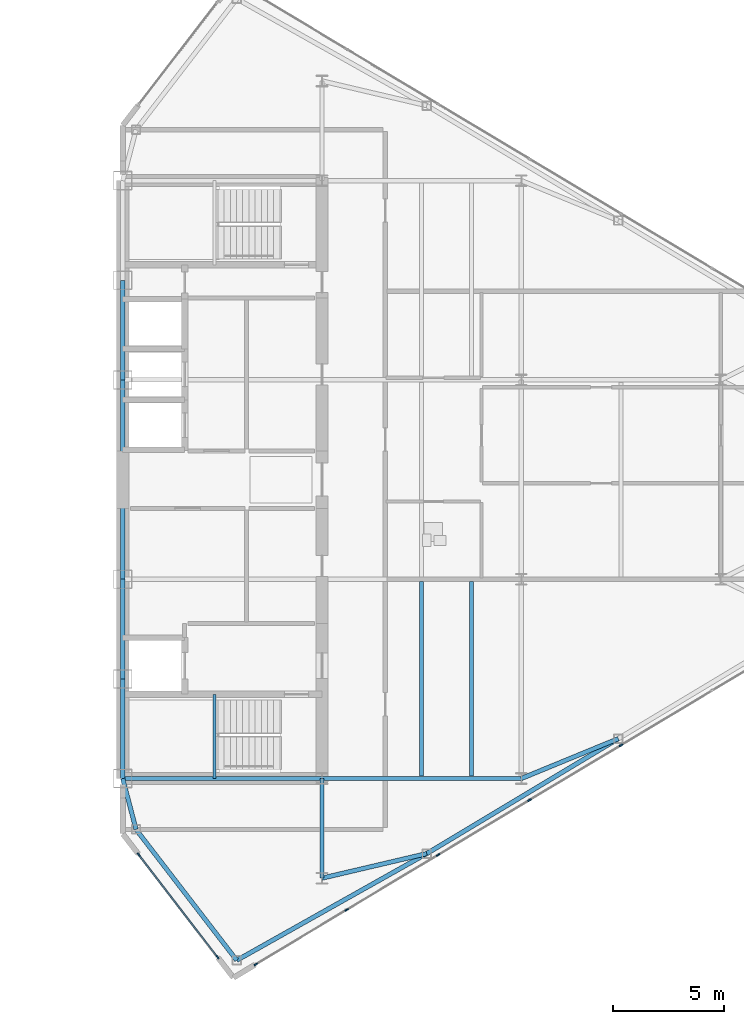
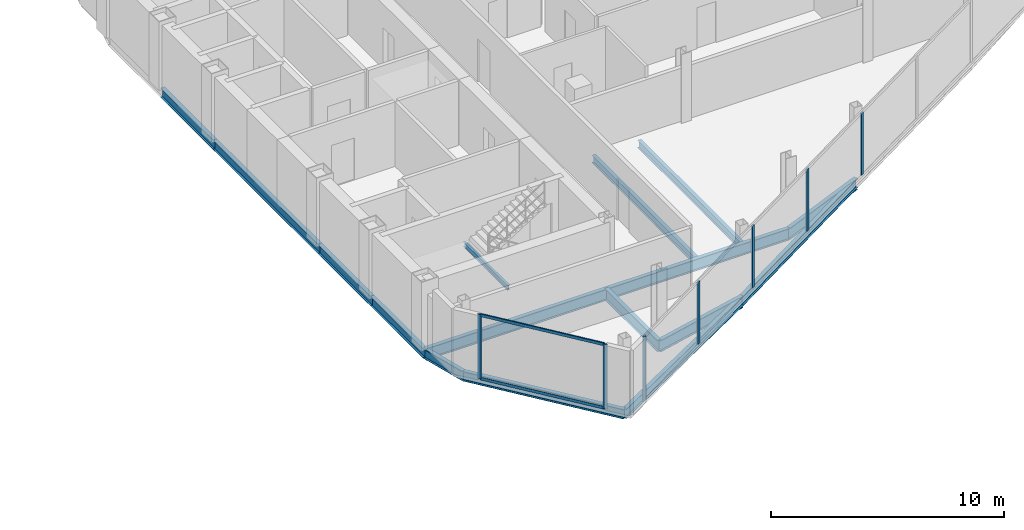
# One storey, part 11 of 25: 16 beams, 9 members, 2 elements without a shape of their own.
"""IFC4 building model written with IfcOpenShell, lengths in metres."""

from ifc_helpers import new_model, si_unit, direction, frame, origin, origin_2d, place, context, subcontext, project, spatial, rectangle, i_section, extrude, source, transform, mapped, material, layer, layer_set, material_profile, profile_set, type_object, type_shapes, element, aggregate, save


model = new_model("IFC4")

# Units and contexts
model_context = context("Model", 3, precision=1e-05, world=origin(), true_north=direction((0.0, 1.0)))
body_context = subcontext(model_context, "Body", "Model", "MODEL_VIEW")
ifc_project = project(units=[si_unit("LENGTHUNIT", "METRE"), si_unit("AREAUNIT", "SQUARE_METRE"), si_unit("VOLUMEUNIT", "CUBIC_METRE"), si_unit("PLANEANGLEUNIT", "RADIAN"), si_unit("MASSUNIT", "GRAM", prefix="KILO")], contexts=[model_context])

# Site, building, storey
site_placement = place(None, origin())
site = spatial("IfcSite", under=ifc_project, at=site_placement, CompositionType="ELEMENT")
building_placement = place(site_placement, origin())
building = spatial("IfcBuilding", under=site, at=building_placement, Name="Seokmaru Belvedere", CompositionType="ELEMENT")
storey_placement = place(building_placement, frame((0.0, 0.0, 203.10009765625)))
storey = spatial("IfcBuildingStorey", under=building, at=storey_placement, Name="L54", CompositionType="ELEMENT", Elevation=203.10009765625)

# Beams
ifc_material_1 = material(Name="Steel SM355 (355 MPa)", Category="steel")
ifc_material_profile_1 = material_profile(ifc_material_1, i_section(OverallWidth=0.199951171875, OverallDepth=0.5, WebThickness=0.010009765625, FlangeThickness=0.01611328125, at=origin_2d()), Name="H-500x200x10x16")
ifc_profile_set_1 = profile_set([ifc_material_profile_1], Name="Steel SM355 (355 MPa)")
beam_type_1 = type_object("IfcBeamType", Name="Perimeter Spandrel Beam H-500", PredefinedType="SPANDREL", material=ifc_profile_set_1)
shared_shape_1 = source(origin(), body_context, "Body", "SweptSolid", [
    extrude(i_section(OverallWidth=0.199951171875, OverallDepth=0.5, WebThickness=0.010009765625, FlangeThickness=0.01611328125, at=origin_2d()), origin(), (0.0, 0.0, 1.0), 4.5),
])
for number, where, z_axis, x_axis, name in (
    (1, (27.5, -13.5, -0.47021484375), (0.0, 1.0, 0.0), (-1.0, 0.0, 0.0), "L54 E Portal Spine Spandrel 1"),
    (2, (27.5, -9.0, -0.47021484375), (0.0, 1.0, 0.0), (-1.0, 0.0, 0.0), "L54 E Portal Spine Spandrel 2"),
    (3, (27.5, 4.5, -0.47021484375), (0.0, 1.0, 0.0), (-1.0, 0.0, 0.0), "L54 E Portal Spine Spandrel 4"),
):
    element("IfcBeam", number, at=place(storey_placement, frame(where, z_axis=z_axis, x_axis=x_axis)), inside=storey, type_object=beam_type_1, Name=name, PredefinedType="SPANDREL", context=body_context, shape_type="MappedRepresentation", body=[
        mapped(shared_shape_1, transform((0.0, 0.0, 0.0), scale=1.0)),
    ])
shared_shape_2 = source(origin(), body_context, "Body", "SweptSolid", [
    extrude(i_section(OverallWidth=0.199951171875, OverallDepth=0.5, WebThickness=0.010009765625, FlangeThickness=0.01611328125, at=origin_2d()), origin(), (0.0, 0.0, 1.0), 9.0),
])
beam_1_placement = place(storey_placement, frame((27.5, -4.5, -0.47021484375), z_axis=(0.0, 1.0, 0.0), x_axis=(-1.0, 0.0, 0.0)))
element("IfcBeam", 4, at=beam_1_placement, inside=storey, type_object=beam_type_1, Name="L54 E Portal Spine Spandrel 3", PredefinedType="SPANDREL", context=body_context, shape_type="MappedRepresentation", body=[
    mapped(shared_shape_2, transform((0.0, 0.0, 0.0), scale=1.0)),
])
ifc_material_profile_2 = material_profile(ifc_material_1, i_section(OverallWidth=0.199951171875, OverallDepth=0.60009765625, WebThickness=0.010986328125, FlangeThickness=0.01708984375, at=origin_2d()), Name="H-600x200x11x17")
ifc_profile_set_2 = profile_set([ifc_material_profile_2], Name="Steel SM355 (355 MPa)")
beam_type_2 = type_object("IfcBeamType", Name="Primary Floor Girder H-600", PredefinedType="BEAM", material=ifc_profile_set_2)
shared_shape_3 = source(origin(), body_context, "Body", "SweptSolid", [
    extrude(i_section(OverallWidth=0.199951171875, OverallDepth=0.60009765625, WebThickness=0.010986328125, FlangeThickness=0.01708984375, at=origin_2d()), origin(), (0.0, 0.0, 1.0), 9.0),
])
for number, where, z_axis, x_axis, name in (
    (5, (27.5, -13.5, -0.52001953125), (1.0, 0.0, 0.0), (0.0, 1.0, 0.0), "L54 E Core Tie Girder 1"),
    (6, (36.5, -13.5, -0.52001953125), (1.0, 0.0, 0.0), (0.0, 1.0, 0.0), "L54 E Wing Primary Girder 1"),
):
    element("IfcBeam", number, at=place(storey_placement, frame(where, z_axis=z_axis, x_axis=x_axis)), inside=storey, type_object=beam_type_2, Name=name, PredefinedType="BEAM", context=body_context, shape_type="MappedRepresentation", body=[
        mapped(shared_shape_3, transform((0.0, 0.0, 0.0), scale=1.0)),
    ])
ifc_material_profile_3 = material_profile(ifc_material_1, i_section(OverallWidth=0.18505859375, OverallDepth=0.389892578125, WebThickness=0.008056640625, FlangeThickness=0.011962890625, at=origin_2d()), Name="H-390x185x8x12")
ifc_profile_set_3 = profile_set([ifc_material_profile_3], Name="Steel SM355 (355 MPa)")
beam_type_3 = type_object("IfcBeamType", Name="Secondary Floor Joist H-350", PredefinedType="JOIST", material=ifc_profile_set_3)
shared_shape_4 = source(origin(), body_context, "Body", "SweptSolid", [
    extrude(i_section(OverallWidth=0.18505859375, OverallDepth=0.389892578125, WebThickness=0.008056640625, FlangeThickness=0.011962890625, at=origin_2d()), origin(), (0.0, 0.0, 1.0), 8.7900390625),
])
type_shapes(beam_type_3, [shared_shape_4])
for number, where, z_axis, x_axis, name in (
    (7, (43.25, -13.39501953125, -0.4150390625), (0.0, 1.0, 0.0), (-1.0, 0.0, 0.0), "L54 E Wing Inner Secondary Joist 1"),
    (8, (41.0, -13.39501953125, -0.4150390625), (0.0, 1.0, 0.0), (-1.0, 0.0, 0.0), "L54 E Secondary Floor Joist 1"),
):
    element("IfcBeam", number, at=place(storey_placement, frame(where, z_axis=z_axis, x_axis=x_axis)), inside=storey, type_object=beam_type_3, Name=name, PredefinedType="JOIST", context=body_context, shape_type="MappedRepresentation", body=[
        mapped(shared_shape_4, transform((0.0, 0.0, 0.0), scale=1.0)),
    ])
shared_shape_5 = source(origin(), body_context, "Body", "SweptSolid", [
    extrude(i_section(OverallWidth=0.199951171875, OverallDepth=0.60009765625, WebThickness=0.010986328125, FlangeThickness=0.01708984375, at=origin_2d()), origin(), (0.0, 0.0, 1.0), 4.5),
])
beam_2_placement = place(storey_placement, frame((36.5, -18.0, -0.52001953125), z_axis=(0.0, 1.0, 0.0), x_axis=(-1.0, 0.0, 0.0)))
element("IfcBeam", 9, at=beam_2_placement, inside=storey, type_object=beam_type_2, Name="L54 E Core Shoulder Girder S", PredefinedType="BEAM", context=body_context, shape_type="MappedRepresentation", body=[
    mapped(shared_shape_5, transform((0.0, 0.0, 0.0), scale=1.0)),
])
shared_shape_6 = source(origin(), body_context, "Body", "SweptSolid", [
    extrude(i_section(OverallWidth=0.199951171875, OverallDepth=0.5, WebThickness=0.010009765625, FlangeThickness=0.01611328125, at=origin_2d()), origin(), (0.0, 0.0, 1.0), 9.842041015625),
])
beam_3_placement = place(storey_placement, frame((32.649658203125, -21.71044921875, -0.47021484375), z_axis=(0.871782151818, 0.489893743349, 0.0), x_axis=(-0.489893743349, 0.871782151818, 0.0)))
element("IfcBeam", 10, at=beam_3_placement, inside=storey, type_object=beam_type_1, Name="L54 E Faceted Flank Spandrel S-1", PredefinedType="SPANDREL", context=body_context, shape_type="MappedRepresentation", body=[
    mapped(shared_shape_6, transform((0.0, 0.0, 0.0), scale=1.0)),
])
shared_shape_7 = source(origin(), body_context, "Body", "SweptSolid", [
    extrude(i_section(OverallWidth=0.199951171875, OverallDepth=0.5, WebThickness=0.010009765625, FlangeThickness=0.01611328125, at=origin_2d()), origin(), (0.0, 0.0, 1.0), 10.087646484375),
])
beam_4_placement = place(storey_placement, frame((41.229736328125, -16.888916015625, -0.47021484375), z_axis=(0.857499332045, 0.514485078056, 0.0), x_axis=(-0.514485078056, 0.857499332045, 0.0)))
element("IfcBeam", 11, at=beam_4_placement, inside=storey, type_object=beam_type_1, Name="L54 E Faceted Flank Spandrel S-2", PredefinedType="SPANDREL", context=body_context, shape_type="MappedRepresentation", body=[
    mapped(shared_shape_7, transform((0.0, 0.0, 0.0), scale=1.0)),
])
shared_shape_8 = source(origin(), body_context, "Body", "SweptSolid", [
    extrude(i_section(OverallWidth=0.199951171875, OverallDepth=0.5, WebThickness=0.010009765625, FlangeThickness=0.01611328125, at=origin_2d()), origin(), (0.0, 0.0, 1.0), 7.4619140625),
])
beam_5_placement = place(storey_placement, frame((32.649658203125, -21.71044921875, -0.47021484375), z_axis=(-0.609702854945, 0.792630070507, 0.0), x_axis=(-0.792630070507, -0.609702854945, 0.0)))
element("IfcBeam", 12, at=beam_5_placement, inside=storey, type_object=beam_type_1, Name="L54 E Shoulder Chamfer Spandrel S", PredefinedType="SPANDREL", context=body_context, shape_type="MappedRepresentation", body=[
    mapped(shared_shape_8, transform((0.0, 0.0, 0.0), scale=1.0)),
])
shared_shape_9 = source(origin(), body_context, "Body", "SweptSolid", [
    extrude(i_section(OverallWidth=0.199951171875, OverallDepth=0.5, WebThickness=0.010009765625, FlangeThickness=0.01611328125, at=origin_2d()), origin(), (0.0, 0.0, 1.0), 2.373046875),
])
type_shapes(beam_type_1, [shared_shape_1, shared_shape_2, shared_shape_6, shared_shape_7, shared_shape_8, shared_shape_9])
beam_6_placement = place(storey_placement, frame((28.10009765625, -15.7958984375, -0.47021484375), z_axis=(-0.252882558842, 0.967496982648, 0.0), x_axis=(-0.967496982648, -0.252882558842, 0.0)))
element("IfcBeam", 13, at=beam_6_placement, inside=storey, type_object=beam_type_1, Name="L54 E Shoulder Spine Spandrel S", PredefinedType="SPANDREL", context=body_context, shape_type="MappedRepresentation", body=[
    mapped(shared_shape_9, transform((0.0, 0.0, 0.0), scale=1.0)),
])
shared_shape_10 = source(origin(), body_context, "Body", "SweptSolid", [
    extrude(i_section(OverallWidth=0.199951171875, OverallDepth=0.60009765625, WebThickness=0.010986328125, FlangeThickness=0.01708984375, at=origin_2d()), origin(), (0.0, 0.0, 1.0), 4.8583984375),
])
beam_7_placement = place(storey_placement, frame((41.229736328125, -16.888916015625, -0.52001953125), z_axis=(-0.97349948295, -0.228689214211, 0.0), x_axis=(0.228689214211, -0.97349948295, 0.0)))
element("IfcBeam", 14, at=beam_7_placement, inside=storey, type_object=beam_type_2, Name="L54 E Flank Radial Floor Girder S-1", PredefinedType="BEAM", context=body_context, shape_type="MappedRepresentation", body=[
    mapped(shared_shape_10, transform((0.0, 0.0, 0.0), scale=1.0)),
])
shared_shape_11 = source(origin(), body_context, "Body", "SweptSolid", [
    extrude(i_section(OverallWidth=0.199951171875, OverallDepth=0.60009765625, WebThickness=0.010986328125, FlangeThickness=0.01708984375, at=origin_2d()), origin(), (0.0, 0.0, 1.0), 4.73583984375),
])
type_shapes(beam_type_2, [shared_shape_3, shared_shape_5, shared_shape_10, shared_shape_11])
beam_8_placement = place(storey_placement, frame((49.8798828125, -11.698974609375, -0.52001953125), z_axis=(-0.924860562953, -0.380306375301, 0.0), x_axis=(0.380306375301, -0.924860562953, 0.0)))
element("IfcBeam", 15, at=beam_8_placement, inside=storey, type_object=beam_type_2, Name="L54 E Flank Radial Floor Girder S-2", PredefinedType="BEAM", context=body_context, shape_type="MappedRepresentation", body=[
    mapped(shared_shape_11, transform((0.0, 0.0, 0.0), scale=1.0)),
])

# Curtain wall, member
ifc_material_2 = material(Name="Bronze Triple Insulating Glass", Category="glass")
ifc_layer = layer(ifc_material_2, 0.179931640625)
ifc_layer_set = layer_set([ifc_layer], Name="Bronze Triple Insulating Glass")
curtain_wall_type = type_object("IfcCurtainWallType", Name="High-Rise Wind-Corner Curtain Wall System CW-5", PredefinedType="NOTDEFINED", material=ifc_layer_set)
curtain_wall_1_placement = place(storey_placement, origin())
curtain_wall_1 = element("IfcCurtainWall", 16, at=curtain_wall_1_placement, inside=storey, type_object=curtain_wall_type, Name="L54 Curtain Wall EF1", PredefinedType="NOTDEFINED")
ifc_material_3 = material(Name="Anodised Bronze Aluminium", Category="aluminium")
ifc_material_profile_4 = material_profile(ifc_material_3, rectangle(XDim=0.06494140625, YDim=0.179931640625, at=origin_2d()), Name="CW-M-65x180")
ifc_profile_set_4 = profile_set([ifc_material_profile_4], Name="Anodised Bronze Aluminium")
member_type_1 = type_object("IfcMemberType", Name="Bronze Unitised Mullion 65x180", PredefinedType="MULLION", material=ifc_profile_set_4)
shared_shape_12 = source(origin(), body_context, "Body", "SweptSolid", [
    extrude(rectangle(XDim=0.06494140625, YDim=0.179931640625, at=origin_2d()), origin(), (0.0, 0.0, 1.0), 3.3798828125),
])
member_1_placement = place(storey_placement, frame((33.513916015625, -21.8916015625, 0.0), z_axis=(0.0, 0.0, 1.0), x_axis=(-0.514494909364, 0.85749343335, 0.0)))
member_1 = element("IfcMember", 17, at=member_1_placement, type_object=member_type_1, Name="CW:L54:EF1 Mullion 1", PredefinedType="MULLION", context=body_context, shape_type="MappedRepresentation", body=[
    mapped(shared_shape_12, transform((0.0, 0.0, 0.0), scale=1.0)),
])

# Curtain wall, members
curtain_wall_2_placement = place(storey_placement, origin())
curtain_wall_2 = element("IfcCurtainWall", 18, at=curtain_wall_2_placement, inside=storey, type_object=curtain_wall_type, Name="L54 Curtain Wall EF6", PredefinedType="NOTDEFINED")
member_2_placement = place(storey_placement, frame((28.220947265625, -16.937255859375, 0.0), z_axis=(0.0, 0.0, 1.0), x_axis=(0.792631353244, 0.609701187349, 0.0)))
member_2 = element("IfcMember", 19, at=member_2_placement, type_object=member_type_1, Name="CW:L54:EF6 Mullion 1", PredefinedType="MULLION", context=body_context, shape_type="MappedRepresentation", body=[
    mapped(shared_shape_12, transform((0.0, 0.0, 0.0), scale=1.0)),
])
member_3_placement = place(storey_placement, frame((31.779052734375, -21.562744140625, 0.0), z_axis=(0.0, 0.0, 1.0), x_axis=(0.792631353244, 0.609701187349, 0.0)))
member_3 = element("IfcMember", 20, at=member_3_placement, type_object=member_type_1, Name="CW:L54:EF6 Mullion 2", PredefinedType="MULLION", context=body_context, shape_type="MappedRepresentation", body=[
    mapped(shared_shape_12, transform((0.0, 0.0, 0.0), scale=1.0)),
])

# Member
shared_shape_13 = source(origin(), body_context, "Body", "SweptSolid", [
    extrude(rectangle(XDim=0.06494140625, YDim=0.179931640625, at=origin_2d()), origin(), (0.0, 0.0, 1.0), 3.25),
])
type_shapes(member_type_1, [shared_shape_12, shared_shape_13])
member_4_placement = place(storey_placement, frame((37.614501953125, -19.43115234375, 0.06494140625), z_axis=(0.0, 0.0, 1.0), x_axis=(-0.514494909364, 0.85749343335, 0.0)))
member_4 = element("IfcMember", 21, at=member_4_placement, type_object=member_type_1, Name="CW:L54:EF1 Mullion 2", PredefinedType="MULLION", context=body_context, shape_type="MappedRepresentation", body=[
    mapped(shared_shape_13, transform((0.0, 0.0, 0.0), scale=1.0)),
])

member_5_placement = place(storey_placement, frame((41.7431640625, -16.9541015625, 0.06494140625), z_axis=(0.0, 0.0, 1.0), x_axis=(-0.514494909364, 0.85749343335, 0.0)))
member_5 = element("IfcMember", 22, at=member_5_placement, type_object=member_type_1, Name="CW:L54:EF1 Mullion 3", PredefinedType="MULLION", context=body_context, shape_type="MappedRepresentation", body=[
    mapped(shared_shape_13, transform((0.0, 0.0, 0.0), scale=1.0)),
])

member_6_placement = place(storey_placement, frame((45.87158203125, -14.47705078125, 0.06494140625), z_axis=(0.0, 0.0, 1.0), x_axis=(-0.514494909364, 0.85749343335, 0.0)))
member_6 = element("IfcMember", 23, at=member_6_placement, type_object=member_type_1, Name="CW:L54:EF1 Mullion 4", PredefinedType="MULLION", context=body_context, shape_type="MappedRepresentation", body=[
    mapped(shared_shape_13, transform((0.0, 0.0, 0.0), scale=1.0)),
])

member_7_placement = place(storey_placement, frame((50.0, -12.0, 0.06494140625), z_axis=(0.0, 0.0, 1.0), x_axis=(-0.514494909364, 0.85749343335, 0.0)))
member_7 = element("IfcMember", 24, at=member_7_placement, type_object=member_type_1, Name="CW:L54:EF1 Mullion 5", PredefinedType="MULLION", context=body_context, shape_type="MappedRepresentation", body=[
    mapped(shared_shape_13, transform((0.0, 0.0, 0.0), scale=1.0)),
])

aggregate(curtain_wall_1, [member_1, member_4, member_5, member_6, member_7])

ifc_material_profile_5 = material_profile(ifc_material_3, rectangle(XDim=0.06494140625, YDim=0.14990234375, at=origin_2d()), Name="CW-T-65x150")
ifc_profile_set_5 = profile_set([ifc_material_profile_5], Name="Anodised Bronze Aluminium")
member_type_2 = type_object("IfcMemberType", Name="Bronze Unitised Transom 65x150", PredefinedType="USERDEFINED", material=ifc_profile_set_5)
shared_shape_14 = source(origin(), body_context, "Body", "SweptSolid", [
    extrude(rectangle(XDim=0.06494140625, YDim=0.14990234375, at=origin_2d()), origin(), (0.0, 0.0, 1.0), 5.77099609375),
])
type_shapes(member_type_2, [shared_shape_14])
member_8_placement = place(storey_placement, frame((28.24072265625, -16.962890625, 0.032470703125), z_axis=(0.60970258286, -0.792630279799, 0.0), x_axis=(0.792630279799, 0.60970258286, 0.0)))
member_8 = element("IfcMember", 25, at=member_8_placement, type_object=member_type_2, Name="CW:L54:EF6 Continuous Transom 1", ObjectType="TRANSOM", PredefinedType="USERDEFINED", context=body_context, shape_type="MappedRepresentation", body=[
    mapped(shared_shape_14, transform((0.0, 0.0, 0.0), scale=1.0)),
])

member_9_placement = place(storey_placement, frame((28.24072265625, -16.962890625, 3.347412109375), z_axis=(0.60970258286, -0.792630279799, 0.0), x_axis=(0.792630279799, 0.60970258286, 0.0)))
member_9 = element("IfcMember", 26, at=member_9_placement, type_object=member_type_2, Name="CW:L54:EF6 Continuous Transom 2", ObjectType="TRANSOM", PredefinedType="USERDEFINED", context=body_context, shape_type="MappedRepresentation", body=[
    mapped(shared_shape_14, transform((0.0, 0.0, 0.0), scale=1.0)),
])

aggregate(curtain_wall_2, [member_2, member_3, member_8, member_9])

# Beam
ifc_material_profile_6 = material_profile(ifc_material_1, i_section(OverallWidth=0.125, OverallDepth=0.25, WebThickness=0.006103515625, FlangeThickness=0.009033203125, at=origin_2d()), Name="H-250x125x6x9")
ifc_profile_set_6 = profile_set([ifc_material_profile_6], Name="Steel SM355 (355 MPa)")
beam_type_4 = type_object("IfcBeamType", Name="Stair Mid-Landing Support Beam H-250", PredefinedType="JOIST", material=ifc_profile_set_6)
shared_shape_15 = source(origin(), body_context, "Body", "SweptSolid", [
    extrude(i_section(OverallWidth=0.125, OverallDepth=0.25, WebThickness=0.006103515625, FlangeThickness=0.009033203125, at=origin_2d()), origin(), (0.0, 0.0, 1.0), 3.800048828125),
])
type_shapes(beam_type_4, [shared_shape_15])
beam_9_placement = place(storey_placement, frame((31.64990234375, -13.5, 1.474853515625), z_axis=(0.0, 1.0, 0.0), x_axis=(-1.0, 0.0, 0.0)))
element("IfcBeam", 27, at=beam_9_placement, inside=storey, type_object=beam_type_4, Name="L54 Stair ST-E1 Mid-Landing Support Beam 1", PredefinedType="JOIST", context=body_context, shape_type="MappedRepresentation", body=[
    mapped(shared_shape_15, transform((0.0, 0.0, 0.0), scale=1.0)),
])

save(model, "model.ifc")
